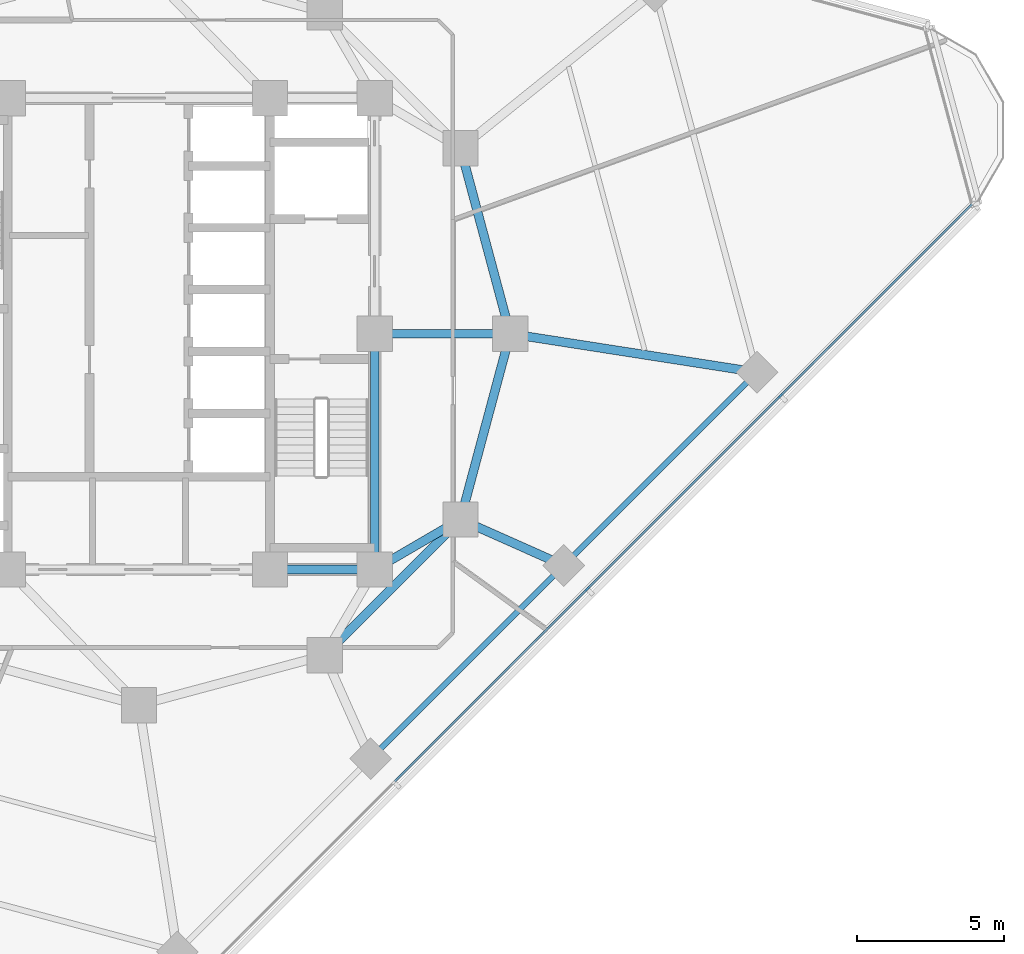
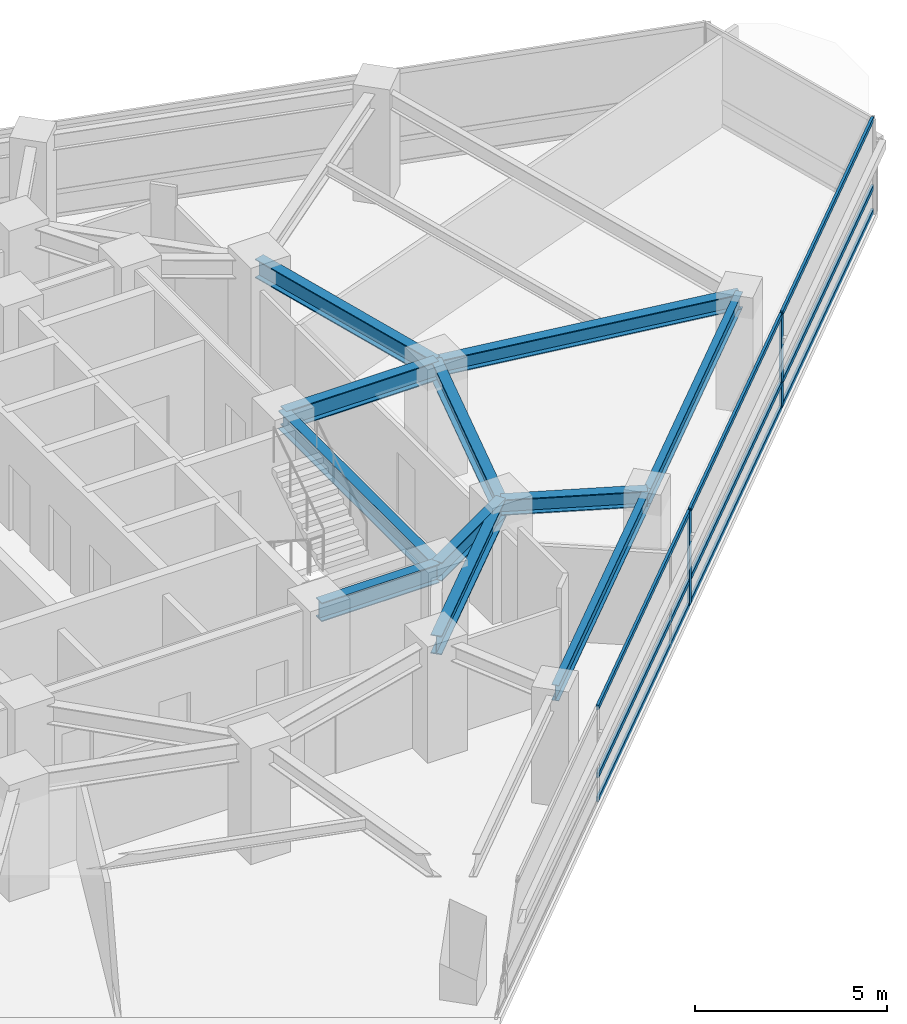
# One storey, part 3 of 13: 11 beams, 11 members, 1 element without a shape of its own.
"""IFC4 building model written with IfcOpenShell, lengths in metres."""

import ifcopenshell
import ifcopenshell.guid

model = None  # the IFC model being written
_history = None  # IfcOwnerHistory: only IFC2X3 demands one
_inside = {}  # id of a spatial element -> (the spatial element, [elements in it])
_under = {}  # id of a project, library or spatial element -> (it, [spatial elements below it])
_declared = {}  # id of a project -> (the project, [libraries it declares])
_typed = {}  # id of a type object -> (the type object, [elements of that type])
_made_of = {}  # id of a material, layer set ... -> (it, [elements and type objects made of it])


def new_model(schema):
    """Start an empty IFC model of exactly this schema.

    Asked for "IFC4X3", IfcOpenShell would pick the latest addendum, in which some entities
    have other attributes; the version numbers below select the first issue.
    IFC2X3 requires an IfcOwnerHistory on every rooted entity: one is made here for all.
    """
    global model, _history
    if schema == "IFC4X3":
        model = ifcopenshell.file(schema_version=(4, 3, 0, 0))
    else:
        model = ifcopenshell.file(schema=schema)
    _inside.clear()
    _under.clear()
    _declared.clear()
    _typed.clear()
    _made_of.clear()
    _history = None
    if model.schema == "IFC2X3":
        org = make("IfcOrganization", Name="unknown")
        user = make(
            "IfcPersonAndOrganization",
            ThePerson=make("IfcPerson", FamilyName="unknown"),
            TheOrganization=org,
        )
        app = make(
            "IfcApplication",
            ApplicationDeveloper=org,
            Version="unknown",
            ApplicationFullName="unknown",
            ApplicationIdentifier="unknown",
        )
        _history = make(
            "IfcOwnerHistory",
            OwningUser=user,
            OwningApplication=app,
            ChangeAction="ADDED",
            CreationDate=0,
        )
    return model


def make(cls, **values):
    """One entity of the class cls with the attributes given. An attribute that is None is left unset."""
    return model.create_entity(
        cls, **{name: value for name, value in values.items() if value is not None}
    )


def rooted(cls, **values):
    """An entity with a GlobalId (a new one), such as an element, a storey or a relation."""
    return make(cls, GlobalId=ifcopenshell.guid.new(), OwnerHistory=_history, **values)


def si_unit(unit_type, name, prefix=None):
    """IfcSIUnit, for example si_unit("LENGTHUNIT", "METRE", prefix="MILLI")."""
    return make("IfcSIUnit", UnitType=unit_type, Prefix=prefix, Name=name)


def assignment(units):
    """IfcUnitAssignment: the units of a project."""
    return None if units is None else make("IfcUnitAssignment", Units=units)


def point(xyz):
    """IfcCartesianPoint."""
    return None if xyz is None else make("IfcCartesianPoint", Coordinates=xyz)


def direction(xyz):
    """IfcDirection."""
    return None if xyz is None else make("IfcDirection", DirectionRatios=xyz)


def frame(location, z_axis=None, x_axis=None):
    """IfcAxis2Placement3D, a coordinate frame: its origin and axes. An axis left out is left unset."""
    return make(
        "IfcAxis2Placement3D",
        Location=point(location),
        Axis=direction(z_axis),
        RefDirection=direction(x_axis),
    )


def frame_2d(location, x_axis=None):
    """IfcAxis2Placement2D, a coordinate frame in the plane: its origin and x axis."""
    return make(
        "IfcAxis2Placement2D", Location=point(location), RefDirection=direction(x_axis)
    )


def origin():
    """The frame at (0, 0, 0) with its axes left unset."""
    return frame((0.0, 0.0, 0.0))


def origin_2d():
    """The frame at (0, 0) in the plane with its x axis left unset."""
    return frame_2d((0.0, 0.0))


def place(relative_to, where):
    """IfcLocalPlacement: puts the frame where relative to a parent placement (None: the world)."""
    return make(
        "IfcLocalPlacement", PlacementRelTo=relative_to, RelativePlacement=where
    )


def context(
    kind, dimensions, precision=None, world=None, true_north=None, identifier=None
):
    """IfcGeometricRepresentationContext, for example the 3D "Model" context."""
    return make(
        "IfcGeometricRepresentationContext",
        ContextIdentifier=identifier,
        ContextType=kind,
        CoordinateSpaceDimension=dimensions,
        Precision=precision,
        WorldCoordinateSystem=world,
        TrueNorth=true_north,
    )


def subcontext(parent, identifier, kind, view, scale=None):
    """IfcGeometricRepresentationSubContext, for example "Body" below "Model"."""
    return make(
        "IfcGeometricRepresentationSubContext",
        ContextIdentifier=identifier,
        ContextType=kind,
        ParentContext=parent,
        TargetScale=scale,
        TargetView=view,
    )


def project(units=None, contexts=None):
    """IfcProject with its units and contexts."""
    return rooted(
        "IfcProject",
        Name="project",
        RepresentationContexts=contexts,
        UnitsInContext=assignment(units),
    )


def spatial(cls, under=None, at=None, **own):
    """A site, building, storey or space (cls), placed at a placement, below another one or the project."""
    s = rooted(cls, ObjectPlacement=at, **own)
    if under is not None:
        _under.setdefault(under.id(), (under, []))[1].append(s)
    return s


def profile(cls, at=None, kind="AREA", **sizes):
    """A parametric profile (cls). Its sizes go by their IFC names, for example OverallWidth=200.0."""
    return make(cls, ProfileType=kind, Position=at, **sizes)


def rectangle(**sizes):
    """IfcRectangleProfileDef."""
    return profile("IfcRectangleProfileDef", **sizes)


def i_section(**sizes):
    """IfcIShapeProfileDef."""
    return profile("IfcIShapeProfileDef", **sizes)


def extrude(swept, where, along, depth):
    """IfcExtrudedAreaSolid: the profile swept, set in the frame where, extruded along a direction by depth."""
    return make(
        "IfcExtrudedAreaSolid",
        SweptArea=swept,
        Position=where,
        ExtrudedDirection=direction(along),
        Depth=depth,
    )


def shape(context_of_items, identifier, shape_type, items):
    """IfcShapeRepresentation: the items that make up one representation, for example the "Body"."""
    return make(
        "IfcShapeRepresentation",
        ContextOfItems=context_of_items,
        RepresentationIdentifier=identifier,
        RepresentationType=shape_type,
        Items=items,
    )


def material(Name=None, Category=None):
    """IfcMaterial."""
    return make("IfcMaterial", Name=Name, Category=Category)


def layer(
    of_material, thickness, ventilated=None, Name=None, Category=None, Priority=None
):
    """IfcMaterialLayer: one layer of a wall or slab, of a material (None: an air gap)."""
    return make(
        "IfcMaterialLayer",
        Material=of_material,
        LayerThickness=thickness,
        IsVentilated=ventilated,
        Name=Name,
        Category=Category,
        Priority=Priority,
    )


def layer_set(layers, Name=None):
    """IfcMaterialLayerSet."""
    return make("IfcMaterialLayerSet", MaterialLayers=layers, LayerSetName=Name)


def material_profile(
    of_material, cross_section, Name=None, Category=None, Priority=None
):
    """IfcMaterialProfile: a cross section and its material."""
    return make(
        "IfcMaterialProfile",
        Name=Name,
        Material=of_material,
        Profile=cross_section,
        Priority=Priority,
        Category=Category,
    )


def profile_set(profiles, Name=None, composite=None):
    """IfcMaterialProfileSet."""
    return make(
        "IfcMaterialProfileSet",
        Name=Name,
        MaterialProfiles=profiles,
        CompositeProfile=composite,
    )


def made_of(thing, what):
    """Note that an element or type object is made of a material, layer set ...; save() writes the relation."""
    if what is not None:
        _made_of.setdefault(what.id(), (what, []))[1].append(thing)
    return thing


def type_object(cls, material=None, **own):
    """A type object (cls), such as IfcWallType, which elements share."""
    return made_of(rooted(cls, **own), material)


def element(
    cls,
    number,
    at=None,
    inside=None,
    cuts=None,
    type_object=None,
    material=None,
    context=None,
    identifier="Body",
    shape_type=None,
    held_by="IfcProductDefinitionShape",
    body=None,
    shapes=None,
    **own,
):
    """One element of the class cls, such as IfcWall. Its Tag is "e" and its number.

    at: its placement. inside: the storey or other place that contains it. cuts: it is an
    opening in that element (IfcRelVoidsElement). A single representation is given by context,
    identifier, shape_type and body (its items); several are given by shapes. held_by: the class
    of the entity that holds the representations. save() writes the other relations.
    """
    e = rooted(cls, Tag="e%d" % number, ObjectPlacement=at, **own)
    if body is not None:
        shapes = [shape(context, identifier, shape_type, body)]
    if shapes is not None:
        e.Representation = make(held_by, Representations=shapes)
    if inside is not None:
        _inside.setdefault(inside.id(), (inside, []))[1].append(e)
    if cuts is not None:
        rooted(
            "IfcRelVoidsElement", RelatingBuildingElement=cuts, RelatedOpeningElement=e
        )
    if type_object is not None:
        _typed.setdefault(type_object.id(), (type_object, []))[1].append(e)
    return made_of(e, material)


def aggregate(whole, parts):
    """IfcRelAggregates: a whole, such as a stair, and the parts it consists of."""
    return rooted("IfcRelAggregates", RelatingObject=whole, RelatedObjects=parts)


def save(model, path):
    """Write the relations noted so far, then the file.

    IfcRelAggregates (storeys below a building ...), IfcRelContainedInSpatialStructure (elements
    in a storey), IfcRelDefinesByType, IfcRelAssociatesMaterial and IfcRelDeclares: one each for
    every whole, place, type object, material and project.
    """
    for whole, parts in _under.values():
        aggregate(whole, parts)
    for where, things in _inside.values():
        rooted(
            "IfcRelContainedInSpatialStructure",
            RelatedElements=things,
            RelatingStructure=where,
        )
    for kind, things in _typed.values():
        rooted("IfcRelDefinesByType", RelatedObjects=things, RelatingType=kind)
    for what, things in _made_of.values():
        rooted("IfcRelAssociatesMaterial", RelatedObjects=things, RelatingMaterial=what)
    for by, libraries in _declared.values():
        rooted("IfcRelDeclares", RelatingContext=by, RelatedDefinitions=libraries)
    model.write(path)


model = new_model("IFC4")

# Units and contexts
model_context = context("Model", 3, precision=1e-05, world=origin(), true_north=direction((0.0, 1.0)))
body_context = subcontext(model_context, "Body", "Model", "MODEL_VIEW")
ifc_project = project(units=[si_unit("LENGTHUNIT", "METRE"), si_unit("AREAUNIT", "SQUARE_METRE"), si_unit("VOLUMEUNIT", "CUBIC_METRE"), si_unit("PLANEANGLEUNIT", "RADIAN"), si_unit("MASSUNIT", "GRAM", prefix="KILO")], contexts=[model_context])

# Site, building, storey
site_placement = place(None, origin())
site = spatial("IfcSite", under=ifc_project, at=site_placement, CompositionType="ELEMENT")
building_placement = place(site_placement, origin())
building = spatial("IfcBuilding", under=site, at=building_placement, Name="Terralouvre Media Tower", CompositionType="ELEMENT")
storey_placement = place(building_placement, frame((0.0, 0.0, 202.699951171875)))
storey = spatial("IfcBuildingStorey", under=building, at=storey_placement, Name="L52", CompositionType="ELEMENT", Elevation=202.699951171875)

# Curtain wall, members
ifc_material_1 = material(Name="Low-iron laminated double glazing with solar-control coating", Category="glass")
ifc_layer = layer(ifc_material_1, 0.1650390625, Name="Production Studio Tower Curtain Wall CW-03")
ifc_layer_set = layer_set([ifc_layer], Name="Low-iron laminated double glazing with solar-control coating")
curtain_wall_type = type_object("IfcCurtainWallType", Name="Production Studio Tower Curtain Wall CW-03", PredefinedType="NOTDEFINED", material=ifc_layer_set)
curtain_wall_placement = place(storey_placement, origin())
curtain_wall = element("IfcCurtainWall", 1, at=curtain_wall_placement, inside=storey, type_object=curtain_wall_type, Name="L52 Facade Curtain Wall F0", PredefinedType="NOTDEFINED")
ifc_material_2 = material(Name="Anodised extruded aluminium 6063-T6", Category="aluminium")
ifc_material_profile_1 = material_profile(ifc_material_2, rectangle(XDim=0.074951171875, YDim=0.14990234375, at=origin_2d()), Name="ALU 75x150")
ifc_profile_set_1 = profile_set([ifc_material_profile_1], Name="Anodised extruded aluminium 6063-T6")
member_type_1 = type_object("IfcMemberType", Name="Curtain-Wall Horizontal Transom TR-150", PredefinedType="USERDEFINED", material=ifc_profile_set_1)
member_1_placement = place(storey_placement, frame((8.6865234375, -15.189697265625, 0.03759765625), z_axis=(0.707106781187, 0.707106781187, 0.0), x_axis=(-0.707106781187, 0.707106781187, 0.0)))
member_1 = element("IfcMember", 2, at=member_1_placement, type_object=member_type_1, Name="CW-03 transom 3.1", ObjectType="TRANSOM", PredefinedType="USERDEFINED", context=body_context, shape_type="SweptSolid", body=[
    extrude(rectangle(XDim=0.074951171875, YDim=0.14990234375, at=origin_2d()), origin(), (0.0, 0.0, 1.0), 9.19677734375),
])
member_2_placement = place(storey_placement, frame((8.6865234375, -15.189697265625, 0.800048828125), z_axis=(0.707106781187, 0.707106781187, 0.0), x_axis=(-0.707106781187, 0.707106781187, 0.0)))
member_2 = element("IfcMember", 3, at=member_2_placement, type_object=member_type_1, Name="CW-03 transom 3.2", ObjectType="TRANSOM", PredefinedType="USERDEFINED", context=body_context, shape_type="SweptSolid", body=[
    extrude(rectangle(XDim=0.074951171875, YDim=0.14990234375, at=origin_2d()), origin(), (0.0, 0.0, 1.0), 9.19677734375),
])
member_3_placement = place(storey_placement, frame((8.6865234375, -15.189697265625, 2.962646484375), z_axis=(0.707106781187, 0.707106781187, 0.0), x_axis=(-0.707106781187, 0.707106781187, 0.0)))
member_3 = element("IfcMember", 4, at=member_3_placement, type_object=member_type_1, Name="CW-03 transom 3.3", ObjectType="TRANSOM", PredefinedType="USERDEFINED", context=body_context, shape_type="SweptSolid", body=[
    extrude(rectangle(XDim=0.074951171875, YDim=0.14990234375, at=origin_2d()), origin(), (0.0, 0.0, 1.0), 9.19677734375),
])
member_4_placement = place(storey_placement, frame((15.24267578125, -8.63330078125, 0.03759765625), z_axis=(0.707120053831, 0.707093508293, 0.0), x_axis=(-0.707093508293, 0.707120053831, 0.0)))
member_4 = element("IfcMember", 5, at=member_4_placement, type_object=member_type_1, Name="CW-03 transom 4.1", ObjectType="TRANSOM", PredefinedType="USERDEFINED", context=body_context, shape_type="SweptSolid", body=[
    extrude(rectangle(XDim=0.074951171875, YDim=0.14990234375, at=origin_2d()), origin(), (0.0, 0.0, 1.0), 9.197021484375),
])
member_5_placement = place(storey_placement, frame((15.24267578125, -8.63330078125, 0.800048828125), z_axis=(0.707120053831, 0.707093508293, 0.0), x_axis=(-0.707093508293, 0.707120053831, 0.0)))
member_5 = element("IfcMember", 6, at=member_5_placement, type_object=member_type_1, Name="CW-03 transom 4.2", ObjectType="TRANSOM", PredefinedType="USERDEFINED", context=body_context, shape_type="SweptSolid", body=[
    extrude(rectangle(XDim=0.074951171875, YDim=0.14990234375, at=origin_2d()), origin(), (0.0, 0.0, 1.0), 9.197021484375),
])
member_6_placement = place(storey_placement, frame((15.24267578125, -8.63330078125, 2.962646484375), z_axis=(0.707120053831, 0.707093508293, 0.0), x_axis=(-0.707093508293, 0.707120053831, 0.0)))
member_6 = element("IfcMember", 7, at=member_6_placement, type_object=member_type_1, Name="CW-03 transom 4.3", ObjectType="TRANSOM", PredefinedType="USERDEFINED", context=body_context, shape_type="SweptSolid", body=[
    extrude(rectangle(XDim=0.074951171875, YDim=0.14990234375, at=origin_2d()), origin(), (0.0, 0.0, 1.0), 9.197021484375),
])
member_7_placement = place(storey_placement, frame((21.799072265625, -2.0771484375, 0.03759765625), z_axis=(0.707106781187, 0.707106781187, 0.0), x_axis=(-0.707106781187, 0.707106781187, 0.0)))
member_7 = element("IfcMember", 8, at=member_7_placement, type_object=member_type_1, Name="CW-03 transom 5.1", ObjectType="TRANSOM", PredefinedType="USERDEFINED", context=body_context, shape_type="SweptSolid", body=[
    extrude(rectangle(XDim=0.074951171875, YDim=0.14990234375, at=origin_2d()), origin(), (0.0, 0.0, 1.0), 9.15966796875),
])
member_8_placement = place(storey_placement, frame((21.799072265625, -2.0771484375, 0.800048828125), z_axis=(0.707106781187, 0.707106781187, 0.0), x_axis=(-0.707106781187, 0.707106781187, 0.0)))
member_8 = element("IfcMember", 9, at=member_8_placement, type_object=member_type_1, Name="CW-03 transom 5.2", ObjectType="TRANSOM", PredefinedType="USERDEFINED", context=body_context, shape_type="SweptSolid", body=[
    extrude(rectangle(XDim=0.074951171875, YDim=0.14990234375, at=origin_2d()), origin(), (0.0, 0.0, 1.0), 9.15966796875),
])
member_9_placement = place(storey_placement, frame((21.799072265625, -2.0771484375, 2.962646484375), z_axis=(0.707106781187, 0.707106781187, 0.0), x_axis=(-0.707106781187, 0.707106781187, 0.0)))
member_9 = element("IfcMember", 10, at=member_9_placement, type_object=member_type_1, Name="CW-03 transom 5.3", ObjectType="TRANSOM", PredefinedType="USERDEFINED", context=body_context, shape_type="SweptSolid", body=[
    extrude(rectangle(XDim=0.074951171875, YDim=0.14990234375, at=origin_2d()), origin(), (0.0, 0.0, 1.0), 9.15966796875),
])
ifc_material_3 = material(Name="Anodised extruded aluminium 6063-T6", Category="aluminium")
ifc_material_profile_2 = material_profile(ifc_material_3, rectangle(XDim=0.074951171875, YDim=0.179931640625, at=origin_2d()), Name="ALU 75x180")
ifc_profile_set_2 = profile_set([ifc_material_profile_2], Name="Anodised extruded aluminium 6063-T6")
member_type_2 = type_object("IfcMemberType", Name="Curtain-Wall Vertical Mullion ML-180", PredefinedType="MULLION", material=ifc_profile_set_2)
member_10_placement = place(storey_placement, frame((15.21630859375, -8.659912109375, 0.0), z_axis=(0.0, 0.0, 1.0), x_axis=(-0.707106781187, 0.707106781187, 0.0)))
member_10 = element("IfcMember", 11, at=member_10_placement, type_object=member_type_2, Name="CW-03 mullion 4", PredefinedType="MULLION", context=body_context, shape_type="SweptSolid", body=[
    extrude(rectangle(XDim=0.074951171875, YDim=0.179931640625, at=origin_2d()), origin(), (0.0, 0.0, 1.0), 3.0),
])
member_11_placement = place(storey_placement, frame((21.7724609375, -2.103515625, 0.0), z_axis=(0.0, 0.0, 1.0), x_axis=(-0.707106781187, 0.707106781187, 0.0)))
member_11 = element("IfcMember", 12, at=member_11_placement, type_object=member_type_2, Name="CW-03 mullion 5", PredefinedType="MULLION", context=body_context, shape_type="SweptSolid", body=[
    extrude(rectangle(XDim=0.074951171875, YDim=0.179931640625, at=origin_2d()), origin(), (0.0, 0.0, 1.0), 3.0),
])
aggregate(curtain_wall, [member_10, member_11, member_1, member_2, member_3, member_4, member_5, member_6, member_7, member_8, member_9])

# Beams
ifc_material_4 = material(Name="Structural steel S355J2", Category="steel")
ifc_material_profile_3 = material_profile(ifc_material_4, i_section(OverallWidth=0.199951171875, OverallDepth=0.5, WebThickness=0.01025390625, FlangeThickness=0.01611328125, at=origin_2d()), Name="IPE 500")
ifc_profile_set_3 = profile_set([ifc_material_profile_3], Name="Structural steel S355J2")
beam_type_1 = type_object("IfcBeamType", Name="Perimeter Spandrel Beam SPB-500 (IPE 500)", PredefinedType="SPANDREL", material=ifc_profile_set_3)
beam_1_placement = place(storey_placement, frame((7.86083984375, -14.417236328125, 3.25), z_axis=(0.707106781187, 0.707106781187, 0.0), x_axis=(-0.707106781187, 0.707106781187, 0.0)))
element("IfcBeam", 13, at=beam_1_placement, inside=storey, type_object=beam_type_1, Name="L52 Framing Beam BM-L52-PR04", PredefinedType="SPANDREL", context=body_context, shape_type="SweptSolid", body=[
    extrude(i_section(OverallWidth=0.199951171875, OverallDepth=0.5, WebThickness=0.01025390625, FlangeThickness=0.01611328125, at=origin_2d()), origin(), (0.0, 0.0, 1.0), 9.272216796875),
])
beam_2_placement = place(storey_placement, frame((14.417236328125, -7.86083984375, 3.25), z_axis=(0.707106781187, 0.707106781187, 0.0), x_axis=(-0.707106781187, 0.707106781187, 0.0)))
element("IfcBeam", 14, at=beam_2_placement, inside=storey, type_object=beam_type_1, Name="L52 Framing Beam BM-L52-PR05", PredefinedType="SPANDREL", context=body_context, shape_type="SweptSolid", body=[
    extrude(i_section(OverallWidth=0.199951171875, OverallDepth=0.5, WebThickness=0.01025390625, FlangeThickness=0.01611328125, at=origin_2d()), origin(), (0.0, 0.0, 1.0), 9.271728515625),
])
ifc_material_5 = material(Name="Structural steel S355J2", Category="steel")
ifc_material_profile_4 = material_profile(ifc_material_5, i_section(OverallWidth=0.300048828125, OverallDepth=0.5, WebThickness=0.014404296875, FlangeThickness=0.028076171875, at=origin_2d()), Name="HEB 500")
ifc_profile_set_4 = profile_set([ifc_material_profile_4], Name="Structural steel S355J2")
beam_type_2 = type_object("IfcBeamType", Name="Primary Floor Girder B-HEB500 (HEB 500)", PredefinedType="BEAM", material=ifc_profile_set_4)
beam_3_placement = place(storey_placement, frame((10.911865234375, -6.300048828125, 3.25), z_axis=(0.913535846257, -0.406758229915, 0.0), x_axis=(0.406758229915, 0.913535846257, 0.0)))
element("IfcBeam", 15, at=beam_3_placement, inside=storey, type_object=beam_type_2, Name="L52 Framing Beam BM-L52-RD05", PredefinedType="BEAM", context=body_context, shape_type="SweptSolid", body=[
    extrude(i_section(OverallWidth=0.300048828125, OverallDepth=0.5, WebThickness=0.014404296875, FlangeThickness=0.028076171875, at=origin_2d()), origin(), (0.0, 0.0, 1.0), 3.837158203125),
])
beam_4_placement = place(storey_placement, frame((12.60009765625, 0.0, 3.25), z_axis=(0.988077445791, -0.153957660154, 0.0), x_axis=(0.153957660154, 0.988077445791, 0.0)))
element("IfcBeam", 16, at=beam_4_placement, inside=storey, type_object=beam_type_2, Name="L52 Framing Beam BM-L52-RD06", PredefinedType="BEAM", context=body_context, shape_type="SweptSolid", body=[
    extrude(i_section(OverallWidth=0.300048828125, OverallDepth=0.5, WebThickness=0.014404296875, FlangeThickness=0.028076171875, at=origin_2d()), origin(), (0.0, 0.0, 1.0), 8.474365234375),
])
ifc_material_6 = material(Name="Structural steel S460M", Category="steel")
ifc_material_profile_5 = material_profile(ifc_material_6, i_section(OverallWidth=0.300048828125, OverallDepth=0.60009765625, WebThickness=0.015380859375, FlangeThickness=0.030029296875, at=origin_2d()), Name="HEB 600")
ifc_profile_set_5 = profile_set([ifc_material_profile_5], Name="Structural steel S460M")
beam_type_3 = type_object("IfcBeamType", Name="Primary Floor Girder B-HEB600 (HEB 600)", PredefinedType="BEAM", material=ifc_profile_set_5)
beam_5_placement = place(storey_placement, frame((4.449951171875, -8.0, 3.199951171875), z_axis=(1.0, 0.0, 0.0), x_axis=(0.0, 1.0, 0.0)))
element("IfcBeam", 17, at=beam_5_placement, inside=storey, type_object=beam_type_3, Name="L52 Framing Beam BM-L52-CPR03", PredefinedType="BEAM", context=body_context, shape_type="SweptSolid", body=[
    extrude(i_section(OverallWidth=0.300048828125, OverallDepth=0.60009765625, WebThickness=0.015380859375, FlangeThickness=0.030029296875, at=origin_2d()), origin(), (0.0, 0.0, 1.0), 3.550048828125),
])
beam_6_placement = place(storey_placement, frame((8.0, -8.0, 3.199951171875), z_axis=(0.0, 1.0, 0.0), x_axis=(-1.0, 0.0, 0.0)))
element("IfcBeam", 18, at=beam_6_placement, inside=storey, type_object=beam_type_3, Name="L52 Framing Beam BM-L52-CPR04", PredefinedType="BEAM", context=body_context, shape_type="SweptSolid", body=[
    extrude(i_section(OverallWidth=0.300048828125, OverallDepth=0.60009765625, WebThickness=0.015380859375, FlangeThickness=0.030029296875, at=origin_2d()), origin(), (0.0, 0.0, 1.0), 8.0),
])
beam_7_placement = place(storey_placement, frame((6.300048828125, -10.911865234375, 3.199951171875), z_axis=(0.707106781187, 0.707106781187, 0.0), x_axis=(-0.707106781187, 0.707106781187, 0.0)))
element("IfcBeam", 19, at=beam_7_placement, inside=storey, type_object=beam_type_3, Name="L52 Framing Beam BM-L52-MR04", PredefinedType="BEAM", context=body_context, shape_type="SweptSolid", body=[
    extrude(i_section(OverallWidth=0.300048828125, OverallDepth=0.60009765625, WebThickness=0.015380859375, FlangeThickness=0.030029296875, at=origin_2d()), origin(), (0.0, 0.0, 1.0), 6.52197265625),
])
for number, where, z_axis, x_axis, name in (
    (20, (10.911865234375, -6.300048828125, 3.199951171875), (0.258838989821, 0.965920481897, 0.0), (-0.965920481897, 0.258838989821, 0.0), "L52 Framing Beam BM-L52-MR05"),
    (21, (12.60009765625, 0.0, 3.199951171875), (-0.258838989821, 0.965920481897, 0.0), (-0.965920481897, -0.258838989821, 0.0), "L52 Framing Beam BM-L52-MR06"),
):
    element("IfcBeam", number, at=place(storey_placement, frame(where, z_axis=z_axis, x_axis=x_axis)), inside=storey, type_object=beam_type_3, Name=name, PredefinedType="BEAM", context=body_context, shape_type="SweptSolid", body=[
        extrude(i_section(OverallWidth=0.300048828125, OverallDepth=0.60009765625, WebThickness=0.015380859375, FlangeThickness=0.030029296875, at=origin_2d()), origin(), (0.0, 0.0, 1.0), 6.522216796875),
    ])
beam_8_placement = place(storey_placement, frame((8.0, -8.0, 3.199951171875), z_axis=(0.863602894532, 0.504172629717, 0.0), x_axis=(-0.504172629717, 0.863602894532, 0.0)))
element("IfcBeam", 22, at=beam_8_placement, inside=storey, type_object=beam_type_3, Name="L52 Framing Beam BM-L52-CM05", PredefinedType="BEAM", context=body_context, shape_type="SweptSolid", body=[
    extrude(i_section(OverallWidth=0.300048828125, OverallDepth=0.60009765625, WebThickness=0.015380859375, FlangeThickness=0.030029296875, at=origin_2d()), origin(), (0.0, 0.0, 1.0), 3.371826171875),
])
beam_9_placement = place(storey_placement, frame((8.0, 0.0, 3.199951171875), z_axis=(1.0, 0.0, 0.0), x_axis=(0.0, 1.0, 0.0)))
element("IfcBeam", 23, at=beam_9_placement, inside=storey, type_object=beam_type_3, Name="L52 Framing Beam BM-L52-CM06", PredefinedType="BEAM", context=body_context, shape_type="SweptSolid", body=[
    extrude(i_section(OverallWidth=0.300048828125, OverallDepth=0.60009765625, WebThickness=0.015380859375, FlangeThickness=0.030029296875, at=origin_2d()), origin(), (0.0, 0.0, 1.0), 4.60009765625),
])

save(model, "model.ifc")
